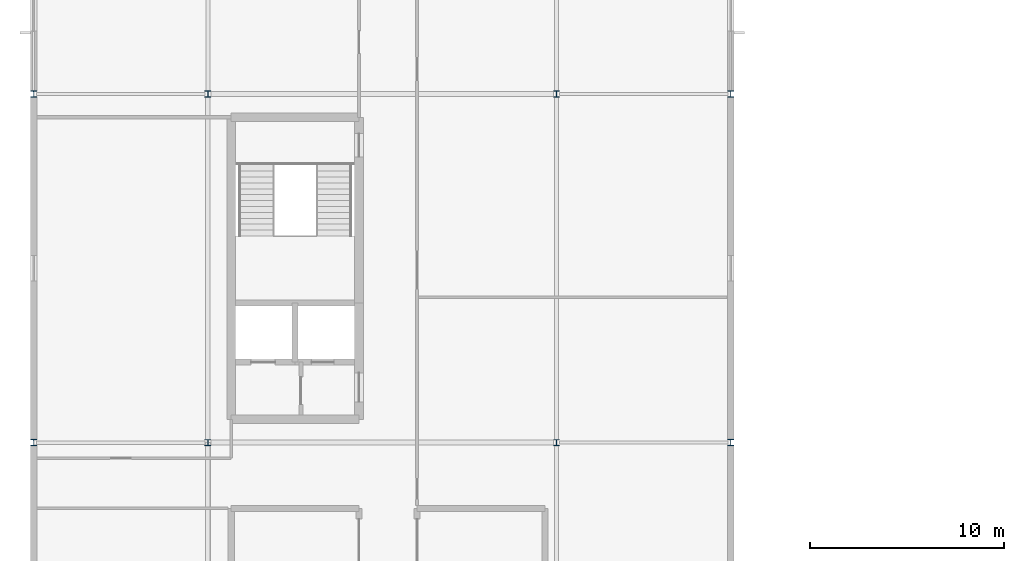
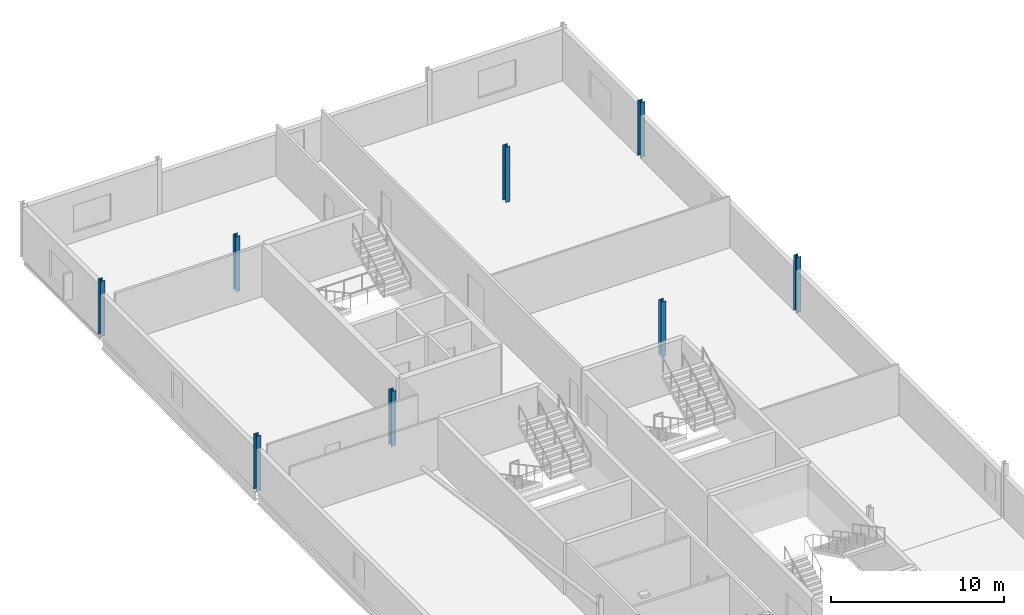
# One storey, part 4 of 31: 8 columns.
"""IFC4 building model written with IfcOpenShell, lengths in metres."""

from ifc_helpers import new_model, si_unit, direction, frame, origin, origin_2d, place, context, subcontext, project, spatial, i_section, extrude, material, material_profile, profile_set, type_object, element, save


model = new_model("IFC4")

# Units and contexts
model_context = context("Model", 3, precision=1e-05, world=origin(), true_north=direction((0.0, 1.0)))
body_context = subcontext(model_context, "Body", "Model", "MODEL_VIEW")
ifc_project = project(units=[si_unit("LENGTHUNIT", "METRE"), si_unit("AREAUNIT", "SQUARE_METRE"), si_unit("VOLUMEUNIT", "CUBIC_METRE"), si_unit("PLANEANGLEUNIT", "RADIAN"), si_unit("MASSUNIT", "GRAM", prefix="KILO")], contexts=[model_context])

# Site, building, storey
site_placement = place(None, origin())
site = spatial("IfcSite", under=ifc_project, at=site_placement, CompositionType="ELEMENT")
building_placement = place(site_placement, origin())
building = spatial("IfcBuilding", under=site, at=building_placement, Name="Kisiwana Market Hall", CompositionType="ELEMENT")
storey_placement = place(building_placement, frame((0.0, 0.0, 45.60009765625)))
storey = spatial("IfcBuildingStorey", under=building, at=storey_placement, Name="L10", CompositionType="ELEMENT", Elevation=45.60009765625)

# Columns
ifc_material_1 = material(Name="Steel S355", Category="steel")
ifc_material_profile_1 = material_profile(ifc_material_1, i_section(OverallWidth=0.300048828125, OverallDepth=0.320068359375, WebThickness=0.011474609375, FlangeThickness=0.0205078125, FilletRadius=0.027099609375, at=origin_2d()), Name="HEB 320")
ifc_profile_set_1 = profile_set([ifc_material_profile_1], Name="Steel S355")
column_type_1 = type_object("IfcColumnType", Name="COL-STL-HEB320", PredefinedType="COLUMN", material=ifc_profile_set_1)
for number, where, z_axis, x_axis, name in (
    (1, (0.0, 84.0, 0.0), (0.0, 0.0, 1.0), (1.0, 0.0, 0.0), "Column L/1 (L10) C-1270"),
    (2, (0.0, 102.0, 0.0), (0.0, 0.0, 1.0), (1.0, 0.0, 0.0), "Column N/1 (L10) C-1271"),
    (3, (36.0, 84.0, 0.0), (0.0, 0.0, 1.0), (1.0, 0.0, 0.0), "Column L/5 (L10) C-1289"),
    (4, (36.0, 102.0, 0.0), (0.0, 0.0, 1.0), (1.0, 0.0, 0.0), "Column N/5 (L10) C-1290"),
):
    element("IfcColumn", number, at=place(storey_placement, frame(where, z_axis=z_axis, x_axis=x_axis)), inside=storey, type_object=column_type_1, Name=name, PredefinedType="COLUMN", context=body_context, shape_type="SweptSolid", body=[
        extrude(i_section(OverallWidth=0.300048828125, OverallDepth=0.320068359375, WebThickness=0.011474609375, FlangeThickness=0.0205078125, FilletRadius=0.027099609375, at=origin_2d()), origin(), (0.0, 0.0, 1.0), 3.89990234375),
    ])
ifc_material_2 = material(Name="Steel S355", Category="steel")
ifc_material_profile_2 = material_profile(ifc_material_2, i_section(OverallWidth=0.307373046875, OverallDepth=0.314453125, WebThickness=0.011962890625, FlangeThickness=0.018798828125, FilletRadius=0.01513671875, at=origin_2d()), Name="UC 305x305x118")
ifc_profile_set_2 = profile_set([ifc_material_profile_2], Name="Steel S355")
column_type_2 = type_object("IfcColumnType", Name="COL-STL-UC118", PredefinedType="COLUMN", material=ifc_profile_set_2)
for number, where, z_axis, x_axis, name in (
    (5, (9.0, 84.0, 0.0), (0.0, 0.0, 1.0), (1.0, 0.0, 0.0), "Column L/2 (L10) C-1276"),
    (6, (9.0, 102.0, 0.0), (0.0, 0.0, 1.0), (1.0, 0.0, 0.0), "Column N/2 (L10) C-1277"),
    (7, (27.0, 84.0, 0.0), (0.0, 0.0, 1.0), (1.0, 0.0, 0.0), "Column L/4 (L10) C-1283"),
    (8, (27.0, 102.0, 0.0), (0.0, 0.0, 1.0), (1.0, 0.0, 0.0), "Column N/4 (L10) C-1284"),
):
    element("IfcColumn", number, at=place(storey_placement, frame(where, z_axis=z_axis, x_axis=x_axis)), inside=storey, type_object=column_type_2, Name=name, PredefinedType="COLUMN", context=body_context, shape_type="SweptSolid", body=[
        extrude(i_section(OverallWidth=0.307373046875, OverallDepth=0.314453125, WebThickness=0.011962890625, FlangeThickness=0.018798828125, FilletRadius=0.01513671875, at=origin_2d()), origin(), (0.0, 0.0, 1.0), 3.89990234375),
    ])

save(model, "model.ifc")
